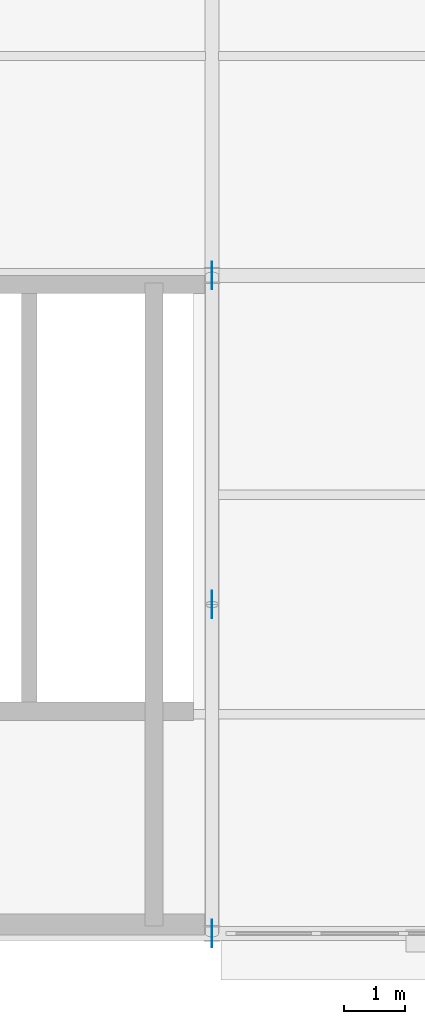
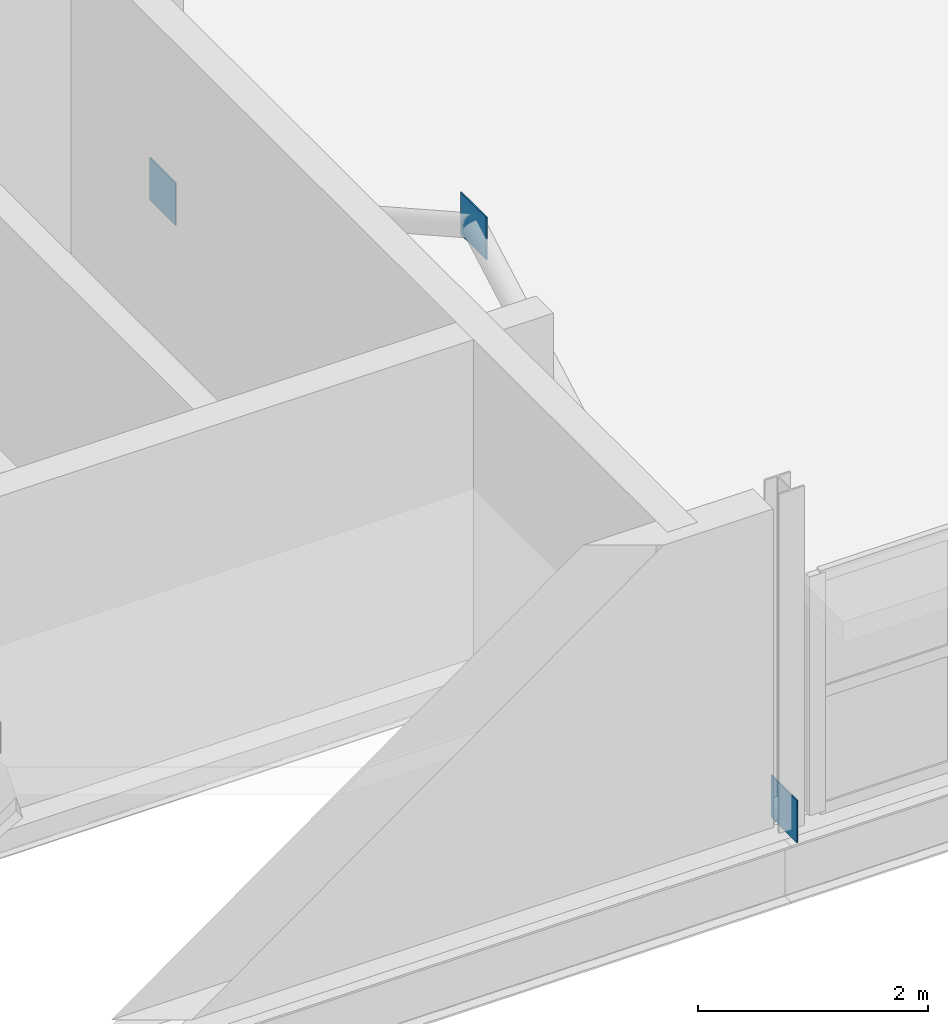
# One storey, part 58 of 74: 3 plates.
"""IFC4 building model written with IfcOpenShell, lengths in metres."""

from ifc_helpers import new_model, si_unit, direction, frame, origin, origin_2d, place, context, subcontext, project, spatial, rectangle, extrude, material, layer, layer_set, type_object, element, save


model = new_model("IFC4")

# Units and contexts
model_context = context("Model", 3, precision=1e-05, world=origin(), true_north=direction((0.0, 1.0)))
body_context = subcontext(model_context, "Body", "Model", "MODEL_VIEW")
ifc_project = project(units=[si_unit("LENGTHUNIT", "METRE"), si_unit("AREAUNIT", "SQUARE_METRE"), si_unit("VOLUMEUNIT", "CUBIC_METRE"), si_unit("PLANEANGLEUNIT", "RADIAN"), si_unit("MASSUNIT", "GRAM", prefix="KILO"), si_unit("THERMODYNAMICTEMPERATUREUNIT", "KELVIN"), si_unit("POWERUNIT", "WATT")], contexts=[model_context])

# Site, building, storey
site_placement = place(None, origin())
site = spatial("IfcSite", under=ifc_project, at=site_placement, CompositionType="ELEMENT")
building_placement = place(site_placement, origin())
building = spatial("IfcBuilding", under=site, at=building_placement, Name="Tembeka Court Mobility Hub", CompositionType="ELEMENT")
storey_placement = place(building_placement, frame((0.0, 0.0, 12.60009765625)))
storey = spatial("IfcBuildingStorey", under=building, at=storey_placement, Name="L03", CompositionType="ELEMENT", Elevation=12.60009765625)

# Plates
ifc_material = material(Name="Steel S355", Category="steel")
ifc_layer = layer(ifc_material, 0.011962890625)
ifc_layer_set = layer_set([ifc_layer], Name="Steel S355")
plate_type = type_object("IfcPlateType", Name="PL-NDP02", PredefinedType="USERDEFINED", material=ifc_layer_set)
for number, where, z_axis, x_axis, name in (
    (1, (164.39990234375, 0.0, -0.0849609375), (0.0, 0.0, 1.0), (1.0, 0.0, 0.0), "Chevron brace gusset plate NDP02 (L03-17-1)"),
    (2, (164.39990234375, 10.800048828125, -0.0849609375), (0.0, 0.0, 1.0), (1.0, 0.0, 0.0), "Chevron brace gusset plate NDP02 (L03-17-2)"),
    (3, (164.39990234375, 5.39990234375, 2.82470703125), (0.0, 0.0, 1.0), (1.0, 0.0, 0.0), "Chevron brace gusset plate NDP02 (L03-17-3)"),
):
    element("IfcPlate", number, at=place(storey_placement, frame(where, z_axis=z_axis, x_axis=x_axis)), inside=storey, type_object=plate_type, Name=name, ObjectType="GUSSET PLATE", PredefinedType="USERDEFINED", context=body_context, shape_type="SweptSolid", body=[
        extrude(rectangle(XDim=0.011962890625, YDim=0.449951171875, at=origin_2d()), origin(), (0.0, 0.0, 1.0), 0.449951171875),
    ])

save(model, "model.ifc")
